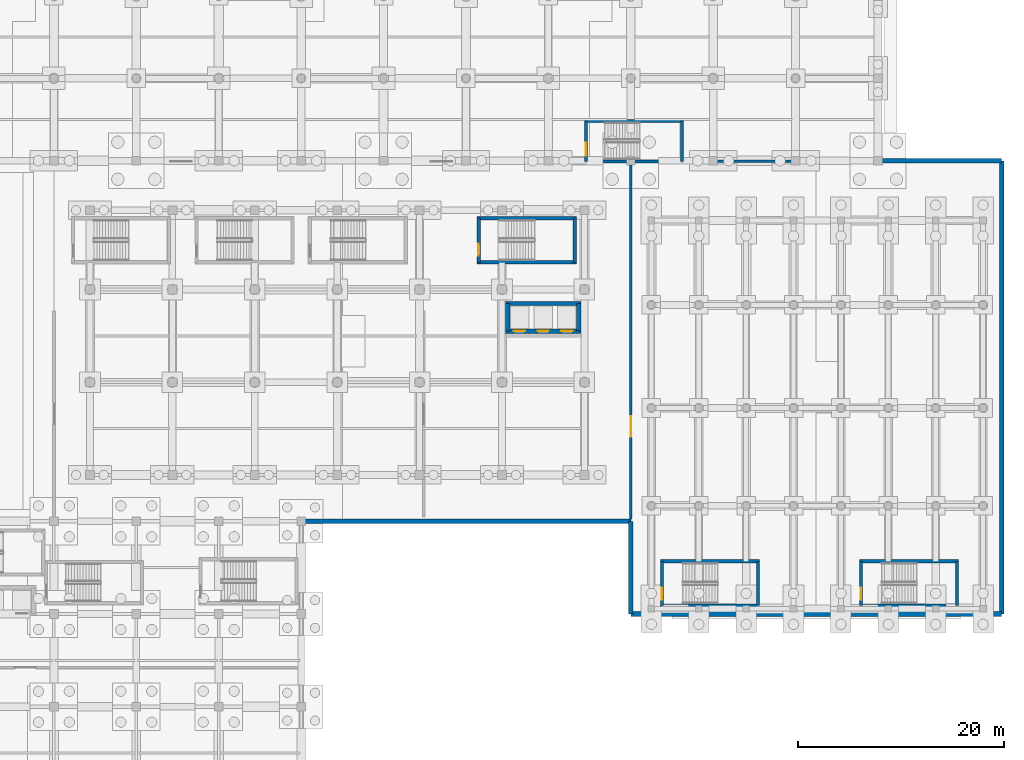
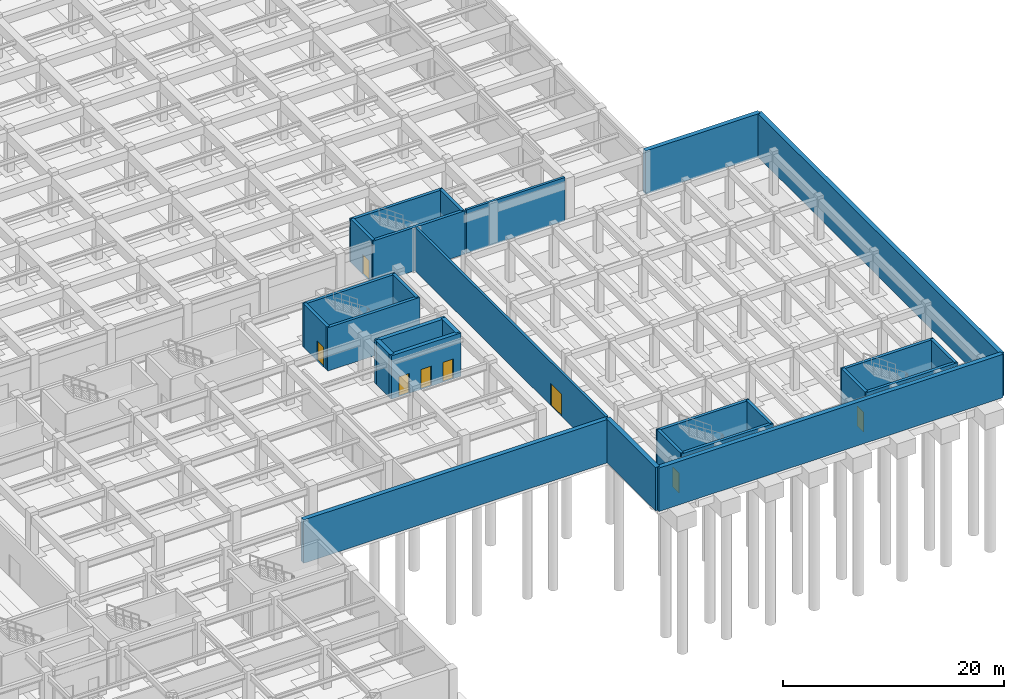
# One storey, part 35 of 48: 27 walls, 8 doors, 8 openings.
"""IFC4 building model written with IfcOpenShell, lengths in metres."""

import ifcopenshell
import ifcopenshell.guid

model = None  # the IFC model being written
_history = None  # IfcOwnerHistory: only IFC2X3 demands one
_inside = {}  # id of a spatial element -> (the spatial element, [elements in it])
_under = {}  # id of a project, library or spatial element -> (it, [spatial elements below it])
_declared = {}  # id of a project -> (the project, [libraries it declares])
_typed = {}  # id of a type object -> (the type object, [elements of that type])
_made_of = {}  # id of a material, layer set ... -> (it, [elements and type objects made of it])


def new_model(schema):
    """Start an empty IFC model of exactly this schema.

    Asked for "IFC4X3", IfcOpenShell would pick the latest addendum, in which some entities
    have other attributes; the version numbers below select the first issue.
    IFC2X3 requires an IfcOwnerHistory on every rooted entity: one is made here for all.
    """
    global model, _history
    if schema == "IFC4X3":
        model = ifcopenshell.file(schema_version=(4, 3, 0, 0))
    else:
        model = ifcopenshell.file(schema=schema)
    _inside.clear()
    _under.clear()
    _declared.clear()
    _typed.clear()
    _made_of.clear()
    _history = None
    if model.schema == "IFC2X3":
        org = make("IfcOrganization", Name="unknown")
        user = make(
            "IfcPersonAndOrganization",
            ThePerson=make("IfcPerson", FamilyName="unknown"),
            TheOrganization=org,
        )
        app = make(
            "IfcApplication",
            ApplicationDeveloper=org,
            Version="unknown",
            ApplicationFullName="unknown",
            ApplicationIdentifier="unknown",
        )
        _history = make(
            "IfcOwnerHistory",
            OwningUser=user,
            OwningApplication=app,
            ChangeAction="ADDED",
            CreationDate=0,
        )
    return model


def make(cls, **values):
    """One entity of the class cls with the attributes given. An attribute that is None is left unset."""
    return model.create_entity(
        cls, **{name: value for name, value in values.items() if value is not None}
    )


def rooted(cls, **values):
    """An entity with a GlobalId (a new one), such as an element, a storey or a relation."""
    return make(cls, GlobalId=ifcopenshell.guid.new(), OwnerHistory=_history, **values)


def si_unit(unit_type, name, prefix=None):
    """IfcSIUnit, for example si_unit("LENGTHUNIT", "METRE", prefix="MILLI")."""
    return make("IfcSIUnit", UnitType=unit_type, Prefix=prefix, Name=name)


def assignment(units):
    """IfcUnitAssignment: the units of a project."""
    return None if units is None else make("IfcUnitAssignment", Units=units)


def point(xyz):
    """IfcCartesianPoint."""
    return None if xyz is None else make("IfcCartesianPoint", Coordinates=xyz)


def direction(xyz):
    """IfcDirection."""
    return None if xyz is None else make("IfcDirection", DirectionRatios=xyz)


def frame(location, z_axis=None, x_axis=None):
    """IfcAxis2Placement3D, a coordinate frame: its origin and axes. An axis left out is left unset."""
    return make(
        "IfcAxis2Placement3D",
        Location=point(location),
        Axis=direction(z_axis),
        RefDirection=direction(x_axis),
    )


def frame_2d(location, x_axis=None):
    """IfcAxis2Placement2D, a coordinate frame in the plane: its origin and x axis."""
    return make(
        "IfcAxis2Placement2D", Location=point(location), RefDirection=direction(x_axis)
    )


def origin():
    """The frame at (0, 0, 0) with its axes left unset."""
    return frame((0.0, 0.0, 0.0))


def place(relative_to, where):
    """IfcLocalPlacement: puts the frame where relative to a parent placement (None: the world)."""
    return make(
        "IfcLocalPlacement", PlacementRelTo=relative_to, RelativePlacement=where
    )


def context(
    kind, dimensions, precision=None, world=None, true_north=None, identifier=None
):
    """IfcGeometricRepresentationContext, for example the 3D "Model" context."""
    return make(
        "IfcGeometricRepresentationContext",
        ContextIdentifier=identifier,
        ContextType=kind,
        CoordinateSpaceDimension=dimensions,
        Precision=precision,
        WorldCoordinateSystem=world,
        TrueNorth=true_north,
    )


def subcontext(parent, identifier, kind, view, scale=None):
    """IfcGeometricRepresentationSubContext, for example "Body" below "Model"."""
    return make(
        "IfcGeometricRepresentationSubContext",
        ContextIdentifier=identifier,
        ContextType=kind,
        ParentContext=parent,
        TargetScale=scale,
        TargetView=view,
    )


def project(units=None, contexts=None):
    """IfcProject with its units and contexts."""
    return rooted(
        "IfcProject",
        Name="project",
        RepresentationContexts=contexts,
        UnitsInContext=assignment(units),
    )


def spatial(cls, under=None, at=None, **own):
    """A site, building, storey or space (cls), placed at a placement, below another one or the project."""
    s = rooted(cls, ObjectPlacement=at, **own)
    if under is not None:
        _under.setdefault(under.id(), (under, []))[1].append(s)
    return s


def profile(cls, at=None, kind="AREA", **sizes):
    """A parametric profile (cls). Its sizes go by their IFC names, for example OverallWidth=200.0."""
    return make(cls, ProfileType=kind, Position=at, **sizes)


def rectangle(**sizes):
    """IfcRectangleProfileDef."""
    return profile("IfcRectangleProfileDef", **sizes)


def extrude(swept, where, along, depth):
    """IfcExtrudedAreaSolid: the profile swept, set in the frame where, extruded along a direction by depth."""
    return make(
        "IfcExtrudedAreaSolid",
        SweptArea=swept,
        Position=where,
        ExtrudedDirection=direction(along),
        Depth=depth,
    )


def shape(context_of_items, identifier, shape_type, items):
    """IfcShapeRepresentation: the items that make up one representation, for example the "Body"."""
    return make(
        "IfcShapeRepresentation",
        ContextOfItems=context_of_items,
        RepresentationIdentifier=identifier,
        RepresentationType=shape_type,
        Items=items,
    )


def material(Name=None, Category=None):
    """IfcMaterial."""
    return make("IfcMaterial", Name=Name, Category=Category)


def layer(
    of_material, thickness, ventilated=None, Name=None, Category=None, Priority=None
):
    """IfcMaterialLayer: one layer of a wall or slab, of a material (None: an air gap)."""
    return make(
        "IfcMaterialLayer",
        Material=of_material,
        LayerThickness=thickness,
        IsVentilated=ventilated,
        Name=Name,
        Category=Category,
        Priority=Priority,
    )


def layer_set(layers, Name=None):
    """IfcMaterialLayerSet."""
    return make("IfcMaterialLayerSet", MaterialLayers=layers, LayerSetName=Name)


def made_of(thing, what):
    """Note that an element or type object is made of a material, layer set ...; save() writes the relation."""
    if what is not None:
        _made_of.setdefault(what.id(), (what, []))[1].append(thing)
    return thing


def type_object(cls, material=None, **own):
    """A type object (cls), such as IfcWallType, which elements share."""
    return made_of(rooted(cls, **own), material)


def element(
    cls,
    number,
    at=None,
    inside=None,
    cuts=None,
    type_object=None,
    material=None,
    context=None,
    identifier="Body",
    shape_type=None,
    held_by="IfcProductDefinitionShape",
    body=None,
    shapes=None,
    **own,
):
    """One element of the class cls, such as IfcWall. Its Tag is "e" and its number.

    at: its placement. inside: the storey or other place that contains it. cuts: it is an
    opening in that element (IfcRelVoidsElement). A single representation is given by context,
    identifier, shape_type and body (its items); several are given by shapes. held_by: the class
    of the entity that holds the representations. save() writes the other relations.
    """
    e = rooted(cls, Tag="e%d" % number, ObjectPlacement=at, **own)
    if body is not None:
        shapes = [shape(context, identifier, shape_type, body)]
    if shapes is not None:
        e.Representation = make(held_by, Representations=shapes)
    if inside is not None:
        _inside.setdefault(inside.id(), (inside, []))[1].append(e)
    if cuts is not None:
        rooted(
            "IfcRelVoidsElement", RelatingBuildingElement=cuts, RelatedOpeningElement=e
        )
    if type_object is not None:
        _typed.setdefault(type_object.id(), (type_object, []))[1].append(e)
    return made_of(e, material)


def fill(opening, filler):
    """IfcRelFillsElement: the door or window that sits in an opening."""
    return rooted(
        "IfcRelFillsElement",
        RelatingOpeningElement=opening,
        RelatedBuildingElement=filler,
    )


def aggregate(whole, parts):
    """IfcRelAggregates: a whole, such as a stair, and the parts it consists of."""
    return rooted("IfcRelAggregates", RelatingObject=whole, RelatedObjects=parts)


def save(model, path):
    """Write the relations noted so far, then the file.

    IfcRelAggregates (storeys below a building ...), IfcRelContainedInSpatialStructure (elements
    in a storey), IfcRelDefinesByType, IfcRelAssociatesMaterial and IfcRelDeclares: one each for
    every whole, place, type object, material and project.
    """
    for whole, parts in _under.values():
        aggregate(whole, parts)
    for where, things in _inside.values():
        rooted(
            "IfcRelContainedInSpatialStructure",
            RelatedElements=things,
            RelatingStructure=where,
        )
    for kind, things in _typed.values():
        rooted("IfcRelDefinesByType", RelatedObjects=things, RelatingType=kind)
    for what, things in _made_of.values():
        rooted("IfcRelAssociatesMaterial", RelatedObjects=things, RelatingMaterial=what)
    for by, libraries in _declared.values():
        rooted("IfcRelDeclares", RelatingContext=by, RelatedDefinitions=libraries)
    model.write(path)


model = new_model("IFC4")

# Units and contexts
model_context = context("Model", 3, precision=1e-05, world=origin(), true_north=direction((0.0, 1.0)))
body_context = subcontext(model_context, "Body", "Model", "MODEL_VIEW")
ifc_project = project(units=[si_unit("LENGTHUNIT", "METRE"), si_unit("AREAUNIT", "SQUARE_METRE"), si_unit("VOLUMEUNIT", "CUBIC_METRE"), si_unit("PLANEANGLEUNIT", "RADIAN"), si_unit("MASSUNIT", "GRAM", prefix="KILO")], contexts=[model_context])

# Site, building, storey
site_placement = place(None, origin())
site = spatial("IfcSite", under=ifc_project, at=site_placement, CompositionType="ELEMENT")
building_placement = place(site_placement, origin())
building = spatial("IfcBuilding", under=site, at=building_placement, Name="Tlacozan Convention Centre", CompositionType="ELEMENT")
storey_placement = place(building_placement, frame((0.0, 0.0, -4.800048828125)))
storey = spatial("IfcBuildingStorey", under=building, at=storey_placement, Name="B01", CompositionType="ELEMENT", Elevation=-4.800048828125)

# Walls
ifc_material_1 = material(Name="Concrete C35/45", Category="concrete")
ifc_layer_1 = layer(ifc_material_1, 0.4599609375)
ifc_layer_set_1 = layer_set([ifc_layer_1], Name="Concrete C35/45")
wall_type_1 = type_object("IfcWallType", Name="Basement Retaining Wall 460", PredefinedType="SOLIDWALL", material=ifc_layer_set_1)
wall_1_placement = place(storey_placement, frame((112.0, 27.0, 0.0), z_axis=(0.0, 0.0, 1.0), x_axis=(1.0, 0.0, 0.0)))
element("IfcWall", 1, at=wall_1_placement, inside=storey, type_object=wall_type_1, Name="B01 Basement Retaining Wall 460 3", PredefinedType="SOLIDWALL", context=body_context, shape_type="SweptSolid", body=[
    extrude(rectangle(XDim=32.0, YDim=0.4599609375, at=frame_2d((16.0, 0.0))), origin(), (0.0, 0.0, 1.0), 4.800048828125),
])
wall_2_placement = place(storey_placement, frame((144.0, 27.0, 0.0), z_axis=(0.0, 0.0, 1.0), x_axis=(0.0, -1.0, 0.0)))
element("IfcWall", 2, at=wall_2_placement, inside=storey, type_object=wall_type_1, Name="B01 Basement Retaining Wall 460 4", PredefinedType="SOLIDWALL", context=body_context, shape_type="SweptSolid", body=[
    extrude(rectangle(XDim=9.0, YDim=0.4599609375, at=frame_2d((4.5, 0.0))), origin(), (0.0, 0.0, 1.0), 4.800048828125),
])
wall_3_placement = place(storey_placement, frame((144.0, 18.0, 0.0), z_axis=(0.0, 0.0, 1.0), x_axis=(1.0, 0.0, 0.0)))
element("IfcWall", 3, at=wall_3_placement, inside=storey, type_object=wall_type_1, Name="B01 Basement Retaining Wall 460 5", PredefinedType="SOLIDWALL", context=body_context, shape_type="SweptSolid", body=[
    extrude(rectangle(XDim=36.0, YDim=0.4599609375, at=frame_2d((18.0, 0.0))), origin(), (0.0, 0.0, 1.0), 4.800048828125),
])
wall_4_placement = place(storey_placement, frame((180.0, 18.0, 0.0), z_axis=(0.0, 0.0, 1.0), x_axis=(0.0, 1.0, 0.0)))
element("IfcWall", 4, at=wall_4_placement, inside=storey, type_object=wall_type_1, Name="B01 Basement Retaining Wall 460 6", PredefinedType="SOLIDWALL", context=body_context, shape_type="SweptSolid", body=[
    extrude(rectangle(XDim=44.0, YDim=0.4599609375, at=frame_2d((22.0, 0.0))), origin(), (0.0, 0.0, 1.0), 4.800048828125),
])
wall_5_placement = place(storey_placement, frame((180.0, 62.0, 0.0), z_axis=(0.0, 0.0, 1.0), x_axis=(-1.0, 0.0, 0.0)))
element("IfcWall", 5, at=wall_5_placement, inside=storey, type_object=wall_type_1, Name="B01 Basement Retaining Wall 460 7", PredefinedType="SOLIDWALL", context=body_context, shape_type="SweptSolid", body=[
    extrude(rectangle(XDim=12.0, YDim=0.4599609375, at=frame_2d((6.0, 0.0))), origin(), (0.0, 0.0, 1.0), 4.800048828125),
])
ifc_material_2 = material(Name="Concrete C40/50", Category="concrete")
ifc_layer_2 = layer(ifc_material_2, 0.260009765625)
ifc_layer_set_2 = layer_set([ifc_layer_2], Name="Concrete C40/50")
wall_type_2 = type_object("IfcWallType", Name="Compartment Rated Wall RC 260", PredefinedType="SOLIDWALL", material=ifc_layer_set_2)
wall_6_placement = place(storey_placement, frame((149.27001953125, 61.93994140625, 0.0), z_axis=(0.0, 0.0, 1.0), x_axis=(1.0, 0.0, 0.0)))
element("IfcWall", 6, at=wall_6_placement, inside=storey, type_object=wall_type_2, Name="B01 Compartment Rated Wall RC 260 565", PredefinedType="SOLIDWALL", context=body_context, shape_type="SweptSolid", body=[
    extrude(rectangle(XDim=10.330078125, YDim=0.260009765625, at=frame_2d((5.1650390625, 0.0))), origin(), (0.0, 0.0, 1.0), 4.800048828125),
])

# Wall, opening, door
wall_7_placement = place(storey_placement, frame((144.0, 27.199951171875, 0.0), z_axis=(0.0, 0.0, 1.0), x_axis=(0.0, 1.0, 0.0)))
wall_7 = element("IfcWall", 7, at=wall_7_placement, inside=storey, type_object=wall_type_2, Name="B01 Compartment Rated Wall RC 260 571", PredefinedType="SOLIDWALL", context=body_context, shape_type="SweptSolid", body=[
    extrude(rectangle(XDim=34.580078125, YDim=0.260009765625, at=frame_2d((17.2900390625, 0.0))), origin(), (0.0, 0.0, 1.0), 4.800048828125),
])
opening_1_placement = place(wall_7_placement, frame((8.0, 0.0, 0.0)))
opening_1 = element("IfcOpeningElement", 8, at=opening_1_placement, cuts=wall_7, Name="Opening ID-12", PredefinedType="OPENING", context=body_context, shape_type="SweptSolid", body=[
    extrude(rectangle(XDim=2.0, YDim=2.449951171875, at=frame_2d((1.0, 1.22509765625))), frame((0.0, 0.139892578125, 0.0), z_axis=(0.0, -1.0, 0.0), x_axis=(1.0, 0.0, 0.0)), (0.0, 0.0, 1.0), 0.280029296875),
])
ifc_material_3 = material(Name="Fire-Rated Insulated Steel Door Leaf", Category="steel")
door_type_1 = type_object("IfcDoorType", Name="Plant Equipment Double Door 2000x2450", OperationType="DOUBLE_DOOR_SINGLE_SWING", PredefinedType="DOOR", material=ifc_material_3)
door_1_placement = place(opening_1_placement, origin())
door_1 = element("IfcDoor", 9, at=door_1_placement, inside=storey, type_object=door_type_1, Name="B01 Plant Equipment Double Door 2000x2450 157", OperationType="DOUBLE_DOOR_SINGLE_SWING", OverallHeight=2.449951171875, OverallWidth=2.0, PredefinedType="DOOR", context=body_context, shape_type="SweptSolid", body=[
    extrude(rectangle(XDim=2.0, YDim=2.449951171875, at=frame_2d((1.0, 1.22509765625))), frame((0.0, 0.02490234375, 0.0), z_axis=(0.0, -1.0, 0.0), x_axis=(1.0, 0.0, 0.0)), (0.0, 0.0, 1.0), 0.050048828125),
])
fill(opening_1, door_1)

# Wall, openings, doors
ifc_layer_3 = layer(ifc_material_2, 0.409912109375)
ifc_layer_set_3 = layer_set([ifc_layer_3], Name="Concrete C40/50")
wall_type_3 = type_object("IfcWallType", Name="Core Shear Wall RC 410", PredefinedType="SHEAR", material=ifc_layer_set_3)
wall_8_placement = place(storey_placement, frame((131.85498046875, 45.4599609375, 0.0), z_axis=(0.0, 0.0, 1.0), x_axis=(1.0, 0.0, 0.0)))
wall_8 = element("IfcWall", 10, at=wall_8_placement, inside=storey, type_object=wall_type_3, Name="B01 Core Shear Wall RC 410 233", PredefinedType="SHEAR", context=body_context, shape_type="SweptSolid", body=[
    extrude(rectangle(XDim=7.2900390625, YDim=0.409912109375, at=frame_2d((3.64501953125, 0.0))), origin(), (0.0, 0.0, 1.0), 4.800048828125),
])
opening_2_placement = place(wall_8_placement, frame((0.794921875, 0.0, 0.0)))
opening_2 = element("IfcOpeningElement", 11, at=opening_2_placement, cuts=wall_8, Name="Opening LD-01", PredefinedType="OPENING", context=body_context, shape_type="SweptSolid", body=[
    extrude(rectangle(XDim=1.10009765625, YDim=2.199951171875, at=frame_2d((0.550048828125, 1.10009765625))), frame((0.0, 0.21484375, 0.0), z_axis=(0.0, -1.0, 0.0), x_axis=(1.0, 0.0, 0.0)), (0.0, 0.0, 1.0), 0.429931640625),
])
opening_3_placement = place(wall_8_placement, frame((3.094970703125, 0.0, 0.0)))
opening_3 = element("IfcOpeningElement", 12, at=opening_3_placement, cuts=wall_8, Name="Opening LD-01", PredefinedType="OPENING", context=body_context, shape_type="SweptSolid", body=[
    extrude(rectangle(XDim=1.10009765625, YDim=2.199951171875, at=frame_2d((0.550048828125, 1.10009765625))), frame((0.0, 0.21484375, 0.0), z_axis=(0.0, -1.0, 0.0), x_axis=(1.0, 0.0, 0.0)), (0.0, 0.0, 1.0), 0.429931640625),
])
opening_4_placement = place(wall_8_placement, frame((5.39501953125, 0.0, 0.0)))
opening_4 = element("IfcOpeningElement", 13, at=opening_4_placement, cuts=wall_8, Name="Opening LD-01", PredefinedType="OPENING", context=body_context, shape_type="SweptSolid", body=[
    extrude(rectangle(XDim=1.10009765625, YDim=2.199951171875, at=frame_2d((0.550048828125, 1.10009765625))), frame((0.0, 0.21484375, 0.0), z_axis=(0.0, -1.0, 0.0), x_axis=(1.0, 0.0, 0.0)), (0.0, 0.0, 1.0), 0.429931640625),
])
ifc_material_4 = material(Name="Brushed Stainless Steel Sliding Landing Door", Category="steel")
door_type_2 = type_object("IfcDoorType", Name="Lift Sliding Landing Door 1100x2200", OperationType="DOUBLE_DOOR_SLIDING", PredefinedType="DOOR", material=ifc_material_4)
door_2_placement = place(opening_2_placement, origin())
door_2 = element("IfcDoor", 14, at=door_2_placement, inside=storey, type_object=door_type_2, Name="B01 Lift PL-05 Landing Door", OperationType="DOUBLE_DOOR_SLIDING", OverallHeight=2.199951171875, OverallWidth=1.10009765625, PredefinedType="DOOR", context=body_context, shape_type="SweptSolid", body=[
    extrude(rectangle(XDim=1.10009765625, YDim=2.199951171875, at=frame_2d((0.550048828125, 1.10009765625))), frame((0.0, 0.02490234375, 0.0), z_axis=(0.0, -1.0, 0.0), x_axis=(1.0, 0.0, 0.0)), (0.0, 0.0, 1.0), 0.050048828125),
])
fill(opening_2, door_2)
door_3_placement = place(opening_3_placement, origin())
door_3 = element("IfcDoor", 15, at=door_3_placement, inside=storey, type_object=door_type_2, Name="B01 Lift PL-06 Landing Door", OperationType="DOUBLE_DOOR_SLIDING", OverallHeight=2.199951171875, OverallWidth=1.10009765625, PredefinedType="DOOR", context=body_context, shape_type="SweptSolid", body=[
    extrude(rectangle(XDim=1.10009765625, YDim=2.199951171875, at=frame_2d((0.550048828125, 1.10009765625))), frame((0.0, 0.02490234375, 0.0), z_axis=(0.0, -1.0, 0.0), x_axis=(1.0, 0.0, 0.0)), (0.0, 0.0, 1.0), 0.050048828125),
])
fill(opening_3, door_3)
door_4_placement = place(opening_4_placement, origin())
door_4 = element("IfcDoor", 16, at=door_4_placement, inside=storey, type_object=door_type_2, Name="B01 Lift PL-07 Landing Door", OperationType="DOUBLE_DOOR_SLIDING", OverallHeight=2.199951171875, OverallWidth=1.10009765625, PredefinedType="DOOR", context=body_context, shape_type="SweptSolid", body=[
    extrude(rectangle(XDim=1.10009765625, YDim=2.199951171875, at=frame_2d((0.550048828125, 1.10009765625))), frame((0.0, 0.02490234375, 0.0), z_axis=(0.0, -1.0, 0.0), x_axis=(1.0, 0.0, 0.0)), (0.0, 0.0, 1.0), 0.050048828125),
])
fill(opening_4, door_4)

# Walls
wall_9_placement = place(storey_placement, frame((131.85498046875, 48.139892578125, 0.0), z_axis=(0.0, 0.0, 1.0), x_axis=(1.0, 0.0, 0.0)))
element("IfcWall", 17, at=wall_9_placement, inside=storey, type_object=wall_type_3, Name="B01 Core Shear Wall RC 410 234", PredefinedType="SHEAR", context=body_context, shape_type="SweptSolid", body=[
    extrude(rectangle(XDim=7.2900390625, YDim=0.409912109375, at=frame_2d((3.64501953125, 0.0))), origin(), (0.0, 0.0, 1.0), 4.800048828125),
])
for number, where, z_axis, x_axis, name in (
    (18, (132.06005859375, 45.4599609375, 0.0), (0.0, 0.0, 1.0), (0.0, 1.0, 0.0), "B01 Core Shear Wall RC 410 235"),
    (19, (138.93994140625, 45.4599609375, 0.0), (0.0, 0.0, 1.0), (0.0, 1.0, 0.0), "B01 Core Shear Wall RC 410 236"),
):
    element("IfcWall", number, at=place(storey_placement, frame(where, z_axis=z_axis, x_axis=x_axis)), inside=storey, type_object=wall_type_3, Name=name, PredefinedType="SHEAR", context=body_context, shape_type="SweptSolid", body=[
        extrude(rectangle(XDim=2.679931640625, YDim=0.409912109375, at=frame_2d((1.33984375, 0.0))), origin(), (0.0, 0.0, 1.0), 4.800048828125),
    ])
ifc_layer_4 = layer(ifc_material_2, 0.31005859375)
ifc_layer_set_4 = layer_set([ifc_layer_4], Name="Concrete C40/50")
wall_type_4 = type_object("IfcWallType", Name="Stair Shaft Shear Wall RC 310", PredefinedType="SHEAR", material=ifc_layer_set_4)
for number, where, z_axis, x_axis, name in (
    (20, (129.0849609375, 52.139892578125, 0.0), (0.0, 0.0, 1.0), (1.0, 0.0, 0.0), "B01 Stair Shaft Shear Wall RC 310 229"),
    (21, (129.0849609375, 56.419921875, 0.0), (0.0, 0.0, 1.0), (1.0, 0.0, 0.0), "B01 Stair Shaft Shear Wall RC 310 230"),
):
    element("IfcWall", number, at=place(storey_placement, frame(where, z_axis=z_axis, x_axis=x_axis)), inside=storey, type_object=wall_type_4, Name=name, PredefinedType="SHEAR", context=body_context, shape_type="SweptSolid", body=[
        extrude(rectangle(XDim=9.630126953125, YDim=0.31005859375, at=frame_2d((4.81494140625, 0.0))), origin(), (0.0, 0.0, 1.0), 4.800048828125),
    ])

# Wall, opening, door
wall_10_placement = place(storey_placement, frame((129.239990234375, 52.139892578125, 0.0), z_axis=(0.0, 0.0, 1.0), x_axis=(0.0, 1.0, 0.0)))
wall_10 = element("IfcWall", 22, at=wall_10_placement, inside=storey, type_object=wall_type_4, Name="B01 Stair Shaft Shear Wall RC 310 231", PredefinedType="SHEAR", context=body_context, shape_type="SweptSolid", body=[
    extrude(rectangle(XDim=4.280029296875, YDim=0.31005859375, at=frame_2d((2.14013671875, 0.0))), origin(), (0.0, 0.0, 1.0), 4.800048828125),
])
opening_5_placement = place(wall_10_placement, frame((0.64990234375, 0.0, 0.0)))
opening_5 = element("IfcOpeningElement", 23, at=opening_5_placement, cuts=wall_10, Name="Opening FD-02", PredefinedType="OPENING", context=body_context, shape_type="SweptSolid", body=[
    extrude(rectangle(XDim=1.14990234375, YDim=2.199951171875, at=frame_2d((0.574951171875, 1.10009765625))), frame((0.0, 0.1650390625, 0.0), z_axis=(0.0, -1.0, 0.0), x_axis=(1.0, 0.0, 0.0)), (0.0, 0.0, 1.0), 0.330078125),
])
door_type_3 = type_object("IfcDoorType", Name="Fire Door Stair 1150x2200 FD90", OperationType="NOTDEFINED", PredefinedType="DOOR", material=ifc_material_3)
door_5_placement = place(opening_5_placement, origin())
door_5 = element("IfcDoor", 24, at=door_5_placement, inside=storey, type_object=door_type_3, Name="B01 Stair ST-03 Fire Door", OperationType="SINGLE_SWING_RIGHT", OverallHeight=2.199951171875, OverallWidth=1.14990234375, PredefinedType="DOOR", context=body_context, shape_type="SweptSolid", body=[
    extrude(rectangle(XDim=1.14990234375, YDim=2.199951171875, at=frame_2d((0.574951171875, 1.10009765625))), frame((0.0, 0.02490234375, 0.0), z_axis=(0.0, -1.0, 0.0), x_axis=(1.0, 0.0, 0.0)), (0.0, 0.0, 1.0), 0.050048828125),
])
fill(opening_5, door_5)

# Walls
wall_11_placement = place(storey_placement, frame((138.56005859375, 52.139892578125, 0.0), z_axis=(0.0, 0.0, 1.0), x_axis=(0.0, 1.0, 0.0)))
element("IfcWall", 25, at=wall_11_placement, inside=storey, type_object=wall_type_4, Name="B01 Stair Shaft Shear Wall RC 310 232", PredefinedType="SHEAR", context=body_context, shape_type="SweptSolid", body=[
    extrude(rectangle(XDim=4.280029296875, YDim=0.31005859375, at=frame_2d((2.14013671875, 0.0))), origin(), (0.0, 0.0, 1.0), 4.800048828125),
])
for number, where, z_axis, x_axis, name in (
    (26, (166.18505859375, 18.840087890625, 0.0), (0.0, 0.0, 1.0), (1.0, 0.0, 0.0), "B01 Stair Shaft Shear Wall RC 310 437"),
    (27, (166.18505859375, 23.1201171875, 0.0), (0.0, 0.0, 1.0), (1.0, 0.0, 0.0), "B01 Stair Shaft Shear Wall RC 310 438"),
):
    element("IfcWall", number, at=place(storey_placement, frame(where, z_axis=z_axis, x_axis=x_axis)), inside=storey, type_object=wall_type_4, Name=name, PredefinedType="SHEAR", context=body_context, shape_type="SweptSolid", body=[
        extrude(rectangle(XDim=9.6298828125, YDim=0.31005859375, at=frame_2d((4.81494140625, 0.0))), origin(), (0.0, 0.0, 1.0), 4.800048828125),
    ])

# Wall, opening, door
wall_12_placement = place(storey_placement, frame((166.340087890625, 18.840087890625, 0.0), z_axis=(0.0, 0.0, 1.0), x_axis=(0.0, 1.0, 0.0)))
wall_12 = element("IfcWall", 28, at=wall_12_placement, inside=storey, type_object=wall_type_4, Name="B01 Stair Shaft Shear Wall RC 310 439", PredefinedType="SHEAR", context=body_context, shape_type="SweptSolid", body=[
    extrude(rectangle(XDim=4.280029296875, YDim=0.31005859375, at=frame_2d((2.14013671875, 0.0))), origin(), (0.0, 0.0, 1.0), 4.800048828125),
])
opening_6_placement = place(wall_12_placement, frame((0.550048828125, 0.0, 0.0)))
opening_6 = element("IfcOpeningElement", 29, at=opening_6_placement, cuts=wall_12, Name="Opening FD-02", PredefinedType="OPENING", context=body_context, shape_type="SweptSolid", body=[
    extrude(rectangle(XDim=1.14990234375, YDim=2.199951171875, at=frame_2d((0.574951171875, 1.10009765625))), frame((0.0, 0.1650390625, 0.0), z_axis=(0.0, -1.0, 0.0), x_axis=(1.0, 0.0, 0.0)), (0.0, 0.0, 1.0), 0.330078125),
])
door_6_placement = place(opening_6_placement, origin())
door_6 = element("IfcDoor", 30, at=door_6_placement, inside=storey, type_object=door_type_3, Name="B01 Stair ST-07 Access Door", OperationType="SINGLE_SWING_RIGHT", OverallHeight=2.199951171875, OverallWidth=1.14990234375, PredefinedType="DOOR", context=body_context, shape_type="SweptSolid", body=[
    extrude(rectangle(XDim=1.14990234375, YDim=2.199951171875, at=frame_2d((0.574951171875, 1.10009765625))), frame((0.0, 0.02490234375, 0.0), z_axis=(0.0, -1.0, 0.0), x_axis=(1.0, 0.0, 0.0)), (0.0, 0.0, 1.0), 0.050048828125),
])
fill(opening_6, door_6)

# Walls
wall_13_placement = place(storey_placement, frame((175.659912109375, 18.840087890625, 0.0), z_axis=(0.0, 0.0, 1.0), x_axis=(0.0, 1.0, 0.0)))
element("IfcWall", 31, at=wall_13_placement, inside=storey, type_object=wall_type_4, Name="B01 Stair Shaft Shear Wall RC 310 440", PredefinedType="SHEAR", context=body_context, shape_type="SweptSolid", body=[
    extrude(rectangle(XDim=4.280029296875, YDim=0.31005859375, at=frame_2d((2.14013671875, 0.0))), origin(), (0.0, 0.0, 1.0), 4.800048828125),
])
for number, where, z_axis, x_axis, name in (
    (32, (146.885009765625, 18.840087890625, 0.0), (0.0, 0.0, 1.0), (1.0, 0.0, 0.0), "B01 Stair Shaft Shear Wall RC 310 453"),
    (33, (146.885009765625, 23.1201171875, 0.0), (0.0, 0.0, 1.0), (1.0, 0.0, 0.0), "B01 Stair Shaft Shear Wall RC 310 454"),
):
    element("IfcWall", number, at=place(storey_placement, frame(where, z_axis=z_axis, x_axis=x_axis)), inside=storey, type_object=wall_type_4, Name=name, PredefinedType="SHEAR", context=body_context, shape_type="SweptSolid", body=[
        extrude(rectangle(XDim=9.6298828125, YDim=0.31005859375, at=frame_2d((4.81494140625, 0.0))), origin(), (0.0, 0.0, 1.0), 4.800048828125),
    ])

# Wall, opening, door
wall_14_placement = place(storey_placement, frame((147.0400390625, 18.840087890625, 0.0), z_axis=(0.0, 0.0, 1.0), x_axis=(0.0, 1.0, 0.0)))
wall_14 = element("IfcWall", 34, at=wall_14_placement, inside=storey, type_object=wall_type_4, Name="B01 Stair Shaft Shear Wall RC 310 455", PredefinedType="SHEAR", context=body_context, shape_type="SweptSolid", body=[
    extrude(rectangle(XDim=4.280029296875, YDim=0.31005859375, at=frame_2d((2.14013671875, 0.0))), origin(), (0.0, 0.0, 1.0), 4.800048828125),
])
opening_7_placement = place(wall_14_placement, frame((0.550048828125, 0.0, 0.0)))
opening_7 = element("IfcOpeningElement", 35, at=opening_7_placement, cuts=wall_14, Name="Opening FD-02", PredefinedType="OPENING", context=body_context, shape_type="SweptSolid", body=[
    extrude(rectangle(XDim=1.14990234375, YDim=2.199951171875, at=frame_2d((0.574951171875, 1.10009765625))), frame((0.0, 0.1650390625, 0.0), z_axis=(0.0, -1.0, 0.0), x_axis=(1.0, 0.0, 0.0)), (0.0, 0.0, 1.0), 0.330078125),
])
door_7_placement = place(opening_7_placement, origin())
door_7 = element("IfcDoor", 36, at=door_7_placement, inside=storey, type_object=door_type_3, Name="B01 Stair ST-08 Access Door", OperationType="SINGLE_SWING_RIGHT", OverallHeight=2.199951171875, OverallWidth=1.14990234375, PredefinedType="DOOR", context=body_context, shape_type="SweptSolid", body=[
    extrude(rectangle(XDim=1.14990234375, YDim=2.199951171875, at=frame_2d((0.574951171875, 1.10009765625))), frame((0.0, 0.02490234375, 0.0), z_axis=(0.0, -1.0, 0.0), x_axis=(1.0, 0.0, 0.0)), (0.0, 0.0, 1.0), 0.050048828125),
])
fill(opening_7, door_7)

# Walls
wall_15_placement = place(storey_placement, frame((156.360107421875, 18.840087890625, 0.0), z_axis=(0.0, 0.0, 1.0), x_axis=(0.0, 1.0, 0.0)))
element("IfcWall", 37, at=wall_15_placement, inside=storey, type_object=wall_type_4, Name="B01 Stair Shaft Shear Wall RC 310 456", PredefinedType="SHEAR", context=body_context, shape_type="SweptSolid", body=[
    extrude(rectangle(XDim=4.280029296875, YDim=0.31005859375, at=frame_2d((2.14013671875, 0.0))), origin(), (0.0, 0.0, 1.0), 4.800048828125),
])
for number, where, z_axis, x_axis, name in (
    (38, (139.485107421875, 61.93994140625, 0.0), (0.0, 0.0, 1.0), (1.0, 0.0, 0.0), "B01 Stair Shaft Shear Wall RC 310 493"),
    (39, (139.485107421875, 65.860107421875, 0.0), (0.0, 0.0, 1.0), (1.0, 0.0, 0.0), "B01 Stair Shaft Shear Wall RC 310 494"),
):
    element("IfcWall", number, at=place(storey_placement, frame(where, z_axis=z_axis, x_axis=x_axis)), inside=storey, type_object=wall_type_4, Name=name, PredefinedType="SHEAR", context=body_context, shape_type="SweptSolid", body=[
        extrude(rectangle(XDim=9.6298828125, YDim=0.31005859375, at=frame_2d((4.81494140625, 0.0))), origin(), (0.0, 0.0, 1.0), 4.800048828125),
    ])

# Wall, opening, door
wall_16_placement = place(storey_placement, frame((139.639892578125, 61.93994140625, 0.0), z_axis=(0.0, 0.0, 1.0), x_axis=(0.0, 1.0, 0.0)))
wall_16 = element("IfcWall", 40, at=wall_16_placement, inside=storey, type_object=wall_type_4, Name="B01 Stair Shaft Shear Wall RC 310 495", PredefinedType="SHEAR", context=body_context, shape_type="SweptSolid", body=[
    extrude(rectangle(XDim=3.920166015625, YDim=0.31005859375, at=frame_2d((1.9599609375, 0.0))), origin(), (0.0, 0.0, 1.0), 4.800048828125),
])
opening_8_placement = place(wall_16_placement, frame((0.550048828125, 0.0, 0.0)))
opening_8 = element("IfcOpeningElement", 41, at=opening_8_placement, cuts=wall_16, Name="Opening FD-05", PredefinedType="OPENING", context=body_context, shape_type="SweptSolid", body=[
    extrude(rectangle(XDim=1.25, YDim=2.199951171875, at=frame_2d((0.625, 1.10009765625))), frame((0.0, 0.1650390625, 0.0), z_axis=(0.0, -1.0, 0.0), x_axis=(1.0, 0.0, 0.0)), (0.0, 0.0, 1.0), 0.330078125),
])
door_type_4 = type_object("IfcDoorType", Name="Fire Door Wide Stair 1250x2200 FD90", OperationType="NOTDEFINED", PredefinedType="DOOR", material=ifc_material_3)
door_8_placement = place(opening_8_placement, origin())
door_8 = element("IfcDoor", 42, at=door_8_placement, inside=storey, type_object=door_type_4, Name="B01 Stair ST-11 Access Door", OperationType="SINGLE_SWING_RIGHT", OverallHeight=2.199951171875, OverallWidth=1.25, PredefinedType="DOOR", context=body_context, shape_type="SweptSolid", body=[
    extrude(rectangle(XDim=1.25, YDim=2.199951171875, at=frame_2d((0.625, 1.10009765625))), frame((0.0, 0.02490234375, 0.0), z_axis=(0.0, -1.0, 0.0), x_axis=(1.0, 0.0, 0.0)), (0.0, 0.0, 1.0), 0.050048828125),
])
fill(opening_8, door_8)

# Wall
wall_17_placement = place(storey_placement, frame((148.9599609375, 61.93994140625, 0.0), z_axis=(0.0, 0.0, 1.0), x_axis=(0.0, 1.0, 0.0)))
element("IfcWall", 43, at=wall_17_placement, inside=storey, type_object=wall_type_4, Name="B01 Stair Shaft Shear Wall RC 310 496", PredefinedType="SHEAR", context=body_context, shape_type="SweptSolid", body=[
    extrude(rectangle(XDim=3.920166015625, YDim=0.31005859375, at=frame_2d((1.9599609375, 0.0))), origin(), (0.0, 0.0, 1.0), 4.800048828125),
])

save(model, "model.ifc")
